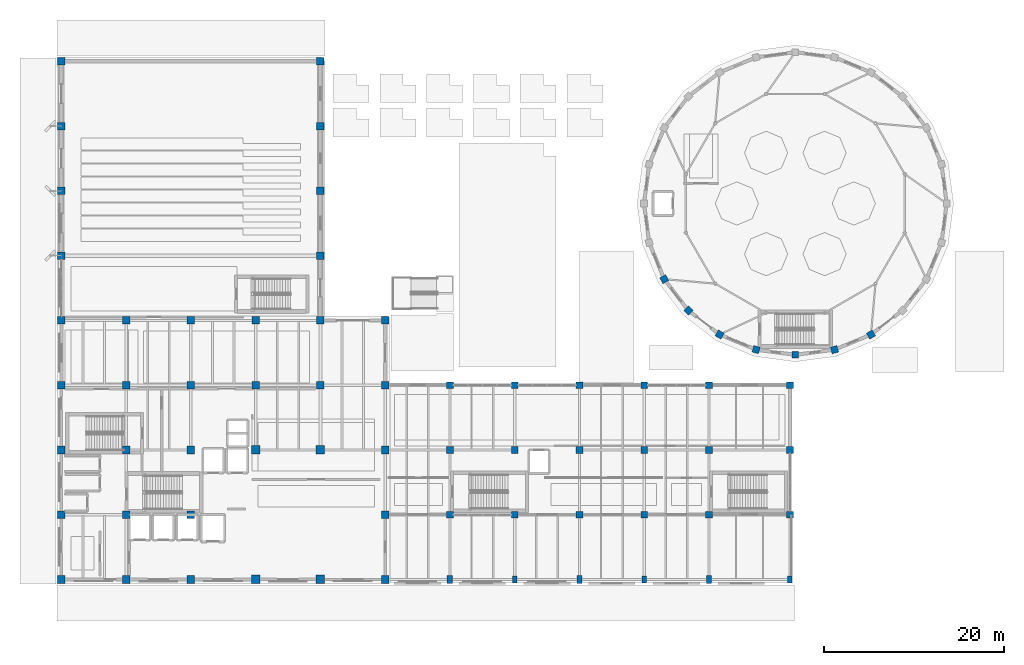
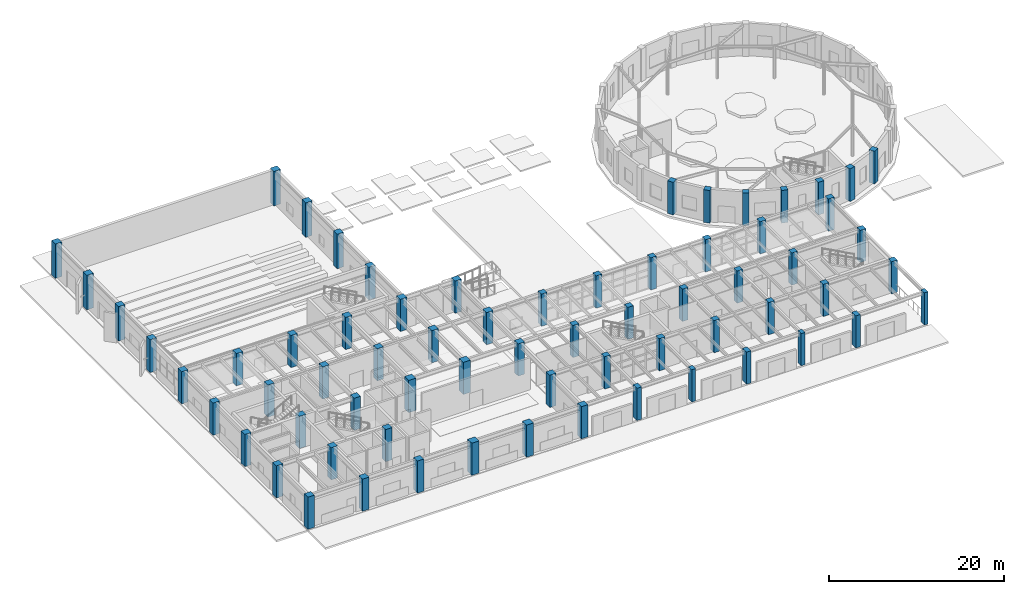
# One storey, part 1 of 39: 67 columns.
"""IFC4 building model written with IfcOpenShell, lengths in metres."""

from ifc_helpers import new_model, si_unit, direction, frame, origin, origin_2d, place, context, subcontext, project, spatial, rectangle, extrude, material, material_profile, profile_set, type_object, element, save


model = new_model("IFC4")

# Units and contexts
model_context = context("Model", 3, precision=1e-05, world=origin(), true_north=direction((0.0, 1.0)))
body_context = subcontext(model_context, "Body", "Model", "MODEL_VIEW")
ifc_project = project(units=[si_unit("LENGTHUNIT", "METRE"), si_unit("AREAUNIT", "SQUARE_METRE"), si_unit("VOLUMEUNIT", "CUBIC_METRE"), si_unit("PLANEANGLEUNIT", "RADIAN"), si_unit("MASSUNIT", "GRAM", prefix="KILO")], contexts=[model_context])

# Site, building, storey
site_placement = place(None, origin())
site = spatial("IfcSite", under=ifc_project, at=site_placement, CompositionType="ELEMENT")
building_placement = place(site_placement, origin())
building = spatial("IfcBuilding", under=site, at=building_placement, Name="Kandorven Conservatory and Botanical Research Centre", CompositionType="ELEMENT")
storey_placement = place(building_placement, origin())
storey = spatial("IfcBuildingStorey", under=building, at=storey_placement, Name="L00", CompositionType="ELEMENT", Elevation=0.0)

# Columns
ifc_material_1 = material(Name="Concrete C40/50 (M50)", Category="concrete")
ifc_material_profile_1 = material_profile(ifc_material_1, rectangle(XDim=0.5, YDim=0.75, at=origin_2d()))
ifc_profile_set_1 = profile_set([ifc_material_profile_1], Name="Concrete C40/50 (M50)")
column_type_1 = type_object("IfcColumnType", Name="Col_AC-01", PredefinedType="PILASTER", material=ifc_profile_set_1)
for number, where, z_axis, x_axis, name in (
    (1, (56.39990234375, 6.0, 0.0), (0.0, 0.0, 1.0), (1.0, 0.0, 0.0), "Column AC-01 VIS L00 (3,1)"),
    (2, (70.800048828125, 6.0, 0.0), (0.0, 0.0, 1.0), (1.0, 0.0, 0.0), "Column AC-01 VIS L00 (5,1)"),
    (3, (87.0, 6.0, 0.0), (0.0, 0.0, 1.0), (1.0, 0.0, 0.0), "Column AC-01 VIS L00 (7,1)"),
):
    element("IfcColumn", number, at=place(storey_placement, frame(where, z_axis=z_axis, x_axis=x_axis)), inside=storey, type_object=column_type_1, Name=name, PredefinedType="PILASTER", context=body_context, shape_type="SweptSolid", body=[
        extrude(rectangle(XDim=0.5, YDim=0.75, at=origin_2d()), origin(), (0.0, 0.0, 1.0), 4.47998046875),
    ])
ifc_material_2 = material(Name="Concrete C40/50 (M50)", Category="concrete")
ifc_material_profile_2 = material_profile(ifc_material_2, rectangle(XDim=0.60009765625, YDim=0.89990234375, at=origin_2d()))
ifc_profile_set_2 = profile_set([ifc_material_profile_2], Name="Concrete C40/50 (M50)")
column_type_2 = type_object("IfcColumnType", Name="Col_AC-02", PredefinedType="PILASTER", material=ifc_profile_set_2)
for number, where, z_axis, x_axis, name in (
    (4, (49.199951171875, 6.0, 0.0), (0.0, 0.0, 1.0), (1.0, 0.0, 0.0), "Column AC-02 VIS L00 (2,1)"),
    (5, (63.60009765625, 6.0, 0.0), (0.0, 0.0, 1.0), (1.0, 0.0, 0.0), "Column AC-02 VIS L00 (4,1)"),
    (6, (78.0, 6.0, 0.0), (0.0, 0.0, 1.0), (1.0, 0.0, 0.0), "Column AC-02 VIS L00 (6,1)"),
):
    element("IfcColumn", number, at=place(storey_placement, frame(where, z_axis=z_axis, x_axis=x_axis)), inside=storey, type_object=column_type_2, Name=name, PredefinedType="PILASTER", context=body_context, shape_type="SweptSolid", body=[
        extrude(rectangle(XDim=0.60009765625, YDim=0.89990234375, at=origin_2d()), origin(), (0.0, 0.0, 1.0), 4.47998046875),
    ])
ifc_material_3 = material(Name="Concrete C40/50 (M50)", Category="concrete")
ifc_material_profile_3 = material_profile(ifc_material_3, rectangle(XDim=0.75, YDim=0.75, at=origin_2d()))
ifc_profile_set_3 = profile_set([ifc_material_profile_3], Name="Concrete C40/50 (M50)")
column_type_3 = type_object("IfcColumnType", Name="Col_DC-01", PredefinedType="COLUMN", material=ifc_profile_set_3)
for number, where, z_axis, x_axis, name in (
    (7, (73.029052734375, 39.387451171875, 0.0), (0.0, 0.0, 1.0), (-0.866025403784, -0.5, 0.0), "Conservatory drum radial pier DC-01 L00 R15"),
    (8, (75.702880859375, 35.90283203125, 0.0), (0.0, 0.0, 1.0), (-0.707106781187, -0.707106781187, 0.0), "Conservatory drum radial pier DC-01 L00 R16"),
    (9, (79.1875, 33.22900390625, 0.0), (0.0, 0.0, 1.0), (-0.5, -0.866025403784, 0.0), "Conservatory drum radial pier DC-01 L00 R17"),
    (10, (83.245361328125, 31.54833984375, 0.0), (0.0, 0.0, 1.0), (-0.258819045103, -0.965925826289, 0.0), "Conservatory drum radial pier DC-01 L00 R18"),
    (11, (87.60009765625, 30.97509765625, 0.0), (0.0, 0.0, 1.0), (0.0, -1.0, 0.0), "Conservatory drum radial pier DC-01 L00 R19"),
    (12, (91.95458984375, 31.54833984375, 0.0), (0.0, 0.0, 1.0), (0.258819045103, -0.965925826289, 0.0), "Conservatory drum radial pier DC-01 L00 R20"),
    (13, (96.012451171875, 33.22900390625, 0.0), (0.0, 0.0, 1.0), (0.5, -0.866025403784, 0.0), "Conservatory drum radial pier DC-01 L00 R21"),
):
    element("IfcColumn", number, at=place(storey_placement, frame(where, z_axis=z_axis, x_axis=x_axis)), inside=storey, type_object=column_type_3, Name=name, PredefinedType="COLUMN", context=body_context, shape_type="SweptSolid", body=[
        extrude(rectangle(XDim=0.75, YDim=0.75, at=origin_2d()), origin(), (0.0, 0.0, 1.0), 4.550048828125),
    ])
ifc_material_4 = material(Name="Concrete C40/50 (M50)", Category="concrete")
ifc_material_profile_4 = material_profile(ifc_material_4, rectangle(XDim=0.949951171875, YDim=0.949951171875, at=origin_2d()))
ifc_profile_set_4 = profile_set([ifc_material_profile_4], Name="Concrete C40/50 (M50)")
column_type_4 = type_object("IfcColumnType", Name="Col_TC-01", PredefinedType="COLUMN", material=ifc_profile_set_4)
for number, where, z_axis, x_axis, name in (
    (14, (27.60009765625, 6.0, 0.0), (0.0, 0.0, 1.0), (1.0, 0.0, 0.0), "Column TC-01 TWR L00 (4,1)"),
    (15, (27.60009765625, 20.39990234375, 0.0), (0.0, 0.0, 1.0), (1.0, 0.0, 0.0), "Column TC-01 TWR L00 (4,3)"),
    (16, (34.800048828125, 6.0, 0.0), (0.0, 0.0, 1.0), (1.0, 0.0, 0.0), "Column TC-01 TWR L00 (5,1)"),
    (17, (34.800048828125, 20.39990234375, 0.0), (0.0, 0.0, 1.0), (1.0, 0.0, 0.0), "Column TC-01 TWR L00 (5,3)"),
):
    element("IfcColumn", number, at=place(storey_placement, frame(where, z_axis=z_axis, x_axis=x_axis)), inside=storey, type_object=column_type_4, Name=name, PredefinedType="COLUMN", context=body_context, shape_type="SweptSolid", body=[
        extrude(rectangle(XDim=0.949951171875, YDim=0.949951171875, at=origin_2d()), origin(), (0.0, 0.0, 1.0), 4.47998046875),
    ])
ifc_material_5 = material(Name="Concrete C40/50 (M50)", Category="concrete")
ifc_material_profile_5 = material_profile(ifc_material_5, rectangle(XDim=0.85009765625, YDim=0.85009765625, at=origin_2d()))
ifc_profile_set_5 = profile_set([ifc_material_profile_5], Name="Concrete C40/50 (M50)")
column_type_5 = type_object("IfcColumnType", Name="Col_TC-02", PredefinedType="COLUMN", material=ifc_profile_set_5)
for number, where, z_axis, x_axis, name in (
    (18, (6.0, 6.0, 0.0), (0.0, 0.0, 1.0), (1.0, 0.0, 0.0), "Column TC-02 TWR L00 (1,1)"),
    (19, (6.0, 13.199951171875, 0.0), (0.0, 0.0, 1.0), (1.0, 0.0, 0.0), "Column TC-02 TWR L00 (1,2)"),
    (20, (6.0, 20.39990234375, 0.0), (0.0, 0.0, 1.0), (1.0, 0.0, 0.0), "Column TC-02 TWR L00 (1,3)"),
    (21, (6.0, 27.60009765625, 0.0), (0.0, 0.0, 1.0), (1.0, 0.0, 0.0), "Column TC-02 TWR L00 (1,4)"),
    (22, (6.0, 34.800048828125, 0.0), (0.0, 0.0, 1.0), (1.0, 0.0, 0.0), "Column TC-02 TWR L00 (1,5)"),
    (23, (13.199951171875, 6.0, 0.0), (0.0, 0.0, 1.0), (1.0, 0.0, 0.0), "Column TC-02 TWR L00 (2,1)"),
    (24, (13.199951171875, 13.199951171875, 0.0), (0.0, 0.0, 1.0), (1.0, 0.0, 0.0), "Column TC-02 TWR L00 (2,2)"),
    (25, (13.199951171875, 20.39990234375, 0.0), (0.0, 0.0, 1.0), (1.0, 0.0, 0.0), "Column TC-02 TWR L00 (2,3)"),
    (26, (13.199951171875, 27.60009765625, 0.0), (0.0, 0.0, 1.0), (1.0, 0.0, 0.0), "Column TC-02 TWR L00 (2,4)"),
    (27, (13.199951171875, 34.800048828125, 0.0), (0.0, 0.0, 1.0), (1.0, 0.0, 0.0), "Column TC-02 TWR L00 (2,5)"),
    (28, (20.39990234375, 6.0, 0.0), (0.0, 0.0, 1.0), (1.0, 0.0, 0.0), "Column TC-02 TWR L00 (3,1)"),
    (29, (20.39990234375, 13.199951171875, 0.0), (0.0, 0.0, 1.0), (1.0, 0.0, 0.0), "Column TC-02 TWR L00 (3,2)"),
    (30, (20.39990234375, 20.39990234375, 0.0), (0.0, 0.0, 1.0), (1.0, 0.0, 0.0), "Column TC-02 TWR L00 (3,3)"),
    (31, (20.39990234375, 27.60009765625, 0.0), (0.0, 0.0, 1.0), (1.0, 0.0, 0.0), "Column TC-02 TWR L00 (3,4)"),
    (32, (20.39990234375, 34.800048828125, 0.0), (0.0, 0.0, 1.0), (1.0, 0.0, 0.0), "Column TC-02 TWR L00 (3,5)"),
    (33, (27.60009765625, 27.60009765625, 0.0), (0.0, 0.0, 1.0), (1.0, 0.0, 0.0), "Column TC-02 TWR L00 (4,4)"),
    (34, (27.60009765625, 34.800048828125, 0.0), (0.0, 0.0, 1.0), (1.0, 0.0, 0.0), "Column TC-02 TWR L00 (4,5)"),
    (35, (34.800048828125, 27.60009765625, 0.0), (0.0, 0.0, 1.0), (1.0, 0.0, 0.0), "Column TC-02 TWR L00 (5,4)"),
    (36, (34.800048828125, 34.800048828125, 0.0), (0.0, 0.0, 1.0), (1.0, 0.0, 0.0), "Column TC-02 TWR L00 (5,5)"),
    (37, (42.0, 6.0, 0.0), (0.0, 0.0, 1.0), (1.0, 0.0, 0.0), "Column TC-02 TWR L00 (6,1)"),
    (38, (42.0, 13.199951171875, 0.0), (0.0, 0.0, 1.0), (1.0, 0.0, 0.0), "Column TC-02 TWR L00 (6,2)"),
    (39, (42.0, 20.39990234375, 0.0), (0.0, 0.0, 1.0), (1.0, 0.0, 0.0), "Column TC-02 TWR L00 (6,3)"),
    (40, (42.0, 27.60009765625, 0.0), (0.0, 0.0, 1.0), (1.0, 0.0, 0.0), "Column TC-02 TWR L00 (6,4)"),
    (41, (42.0, 34.800048828125, 0.0), (0.0, 0.0, 1.0), (1.0, 0.0, 0.0), "Column TC-02 TWR L00 (6,5)"),
):
    element("IfcColumn", number, at=place(storey_placement, frame(where, z_axis=z_axis, x_axis=x_axis)), inside=storey, type_object=column_type_5, Name=name, PredefinedType="COLUMN", context=body_context, shape_type="SweptSolid", body=[
        extrude(rectangle(XDim=0.85009765625, YDim=0.85009765625, at=origin_2d()), origin(), (0.0, 0.0, 1.0), 4.47998046875),
    ])
column_1_placement = place(storey_placement, frame((6.0, 42.0, 0.0), z_axis=(0.0, 0.0, 1.0), x_axis=(1.0, 0.0, 0.0)))
element("IfcColumn", 42, at=column_1_placement, inside=storey, type_object=column_type_5, Name="Auditorium portal column TC-02 L00", PredefinedType="COLUMN", context=body_context, shape_type="SweptSolid", body=[
    extrude(rectangle(XDim=0.85009765625, YDim=0.85009765625, at=origin_2d()), origin(), (0.0, 0.0, 1.0), 4.550048828125),
])
for number, where, z_axis, x_axis, name in (
    (43, (6.0, 49.199951171875, 0.0), (0.0, 0.0, 1.0), (1.0, 0.0, 0.0), "Auditorium portal column TC-02 L00"),
    (44, (6.0, 56.39990234375, 0.0), (0.0, 0.0, 1.0), (1.0, 0.0, 0.0), "Auditorium portal column TC-02 L00"),
    (45, (6.0, 63.60009765625, 0.0), (0.0, 0.0, 1.0), (1.0, 0.0, 0.0), "Auditorium portal column TC-02 L00"),
):
    element("IfcColumn", number, at=place(storey_placement, frame(where, z_axis=z_axis, x_axis=x_axis)), inside=storey, type_object=column_type_5, Name=name, PredefinedType="COLUMN", context=body_context, shape_type="SweptSolid", body=[
        extrude(rectangle(XDim=0.85009765625, YDim=0.85009765625, at=origin_2d()), origin(), (0.0, 0.0, 1.0), 4.800048828125),
    ])
column_2_placement = place(storey_placement, frame((34.800048828125, 42.0, 0.0), z_axis=(0.0, 0.0, 1.0), x_axis=(1.0, 0.0, 0.0)))
element("IfcColumn", 46, at=column_2_placement, inside=storey, type_object=column_type_5, Name="Auditorium portal column TC-02 L00", PredefinedType="COLUMN", context=body_context, shape_type="SweptSolid", body=[
    extrude(rectangle(XDim=0.85009765625, YDim=0.85009765625, at=origin_2d()), origin(), (0.0, 0.0, 1.0), 4.550048828125),
])
for number, where, z_axis, x_axis, name in (
    (47, (34.800048828125, 49.199951171875, 0.0), (0.0, 0.0, 1.0), (1.0, 0.0, 0.0), "Auditorium portal column TC-02 L00"),
    (48, (34.800048828125, 56.39990234375, 0.0), (0.0, 0.0, 1.0), (1.0, 0.0, 0.0), "Auditorium portal column TC-02 L00"),
    (49, (34.800048828125, 63.60009765625, 0.0), (0.0, 0.0, 1.0), (1.0, 0.0, 0.0), "Auditorium portal column TC-02 L00"),
):
    element("IfcColumn", number, at=place(storey_placement, frame(where, z_axis=z_axis, x_axis=x_axis)), inside=storey, type_object=column_type_5, Name=name, PredefinedType="COLUMN", context=body_context, shape_type="SweptSolid", body=[
        extrude(rectangle(XDim=0.85009765625, YDim=0.85009765625, at=origin_2d()), origin(), (0.0, 0.0, 1.0), 4.800048828125),
    ])
ifc_material_6 = material(Name="Concrete C40/50 (M50)", Category="concrete")
ifc_material_profile_6 = material_profile(ifc_material_6, rectangle(XDim=0.75, YDim=0.75, at=origin_2d()))
ifc_profile_set_6 = profile_set([ifc_material_profile_6], Name="Concrete C40/50 (M50)")
column_type_6 = type_object("IfcColumnType", Name="Col_TC-03", PredefinedType="COLUMN", material=ifc_profile_set_6)
for number, where, z_axis, x_axis, name in (
    (50, (49.199951171875, 13.199951171875, 0.0), (0.0, 0.0, 1.0), (1.0, 0.0, 0.0), "Column TC-03 VIS L00 (2,2)"),
    (51, (49.199951171875, 20.39990234375, 0.0), (0.0, 0.0, 1.0), (1.0, 0.0, 0.0), "Column TC-03 VIS L00 (2,3)"),
    (52, (49.199951171875, 27.60009765625, 0.0), (0.0, 0.0, 1.0), (1.0, 0.0, 0.0), "Column TC-03 VIS L00 (2,4)"),
    (53, (56.39990234375, 13.199951171875, 0.0), (0.0, 0.0, 1.0), (1.0, 0.0, 0.0), "Column TC-03 VIS L00 (3,2)"),
    (54, (56.39990234375, 20.39990234375, 0.0), (0.0, 0.0, 1.0), (1.0, 0.0, 0.0), "Column TC-03 VIS L00 (3,3)"),
    (55, (56.39990234375, 27.60009765625, 0.0), (0.0, 0.0, 1.0), (1.0, 0.0, 0.0), "Column TC-03 VIS L00 (3,4)"),
    (56, (63.60009765625, 13.199951171875, 0.0), (0.0, 0.0, 1.0), (1.0, 0.0, 0.0), "Column TC-03 VIS L00 (4,2)"),
    (57, (63.60009765625, 20.39990234375, 0.0), (0.0, 0.0, 1.0), (1.0, 0.0, 0.0), "Column TC-03 VIS L00 (4,3)"),
    (58, (63.60009765625, 27.60009765625, 0.0), (0.0, 0.0, 1.0), (1.0, 0.0, 0.0), "Column TC-03 VIS L00 (4,4)"),
    (59, (70.800048828125, 13.199951171875, 0.0), (0.0, 0.0, 1.0), (1.0, 0.0, 0.0), "Column TC-03 VIS L00 (5,2)"),
    (60, (70.800048828125, 20.39990234375, 0.0), (0.0, 0.0, 1.0), (1.0, 0.0, 0.0), "Column TC-03 VIS L00 (5,3)"),
    (61, (70.800048828125, 27.60009765625, 0.0), (0.0, 0.0, 1.0), (1.0, 0.0, 0.0), "Column TC-03 VIS L00 (5,4)"),
    (62, (78.0, 13.199951171875, 0.0), (0.0, 0.0, 1.0), (1.0, 0.0, 0.0), "Column TC-03 VIS L00 (6,2)"),
    (63, (78.0, 20.39990234375, 0.0), (0.0, 0.0, 1.0), (1.0, 0.0, 0.0), "Column TC-03 VIS L00 (6,3)"),
    (64, (78.0, 27.60009765625, 0.0), (0.0, 0.0, 1.0), (1.0, 0.0, 0.0), "Column TC-03 VIS L00 (6,4)"),
    (65, (87.0, 13.199951171875, 0.0), (0.0, 0.0, 1.0), (1.0, 0.0, 0.0), "Column TC-03 VIS L00 (7,2)"),
    (66, (87.0, 20.39990234375, 0.0), (0.0, 0.0, 1.0), (1.0, 0.0, 0.0), "Column TC-03 VIS L00 (7,3)"),
    (67, (87.0, 27.60009765625, 0.0), (0.0, 0.0, 1.0), (1.0, 0.0, 0.0), "Column TC-03 VIS L00 (7,4)"),
):
    element("IfcColumn", number, at=place(storey_placement, frame(where, z_axis=z_axis, x_axis=x_axis)), inside=storey, type_object=column_type_6, Name=name, PredefinedType="COLUMN", context=body_context, shape_type="SweptSolid", body=[
        extrude(rectangle(XDim=0.75, YDim=0.75, at=origin_2d()), origin(), (0.0, 0.0, 1.0), 4.47998046875),
    ])

save(model, "model.ifc")
